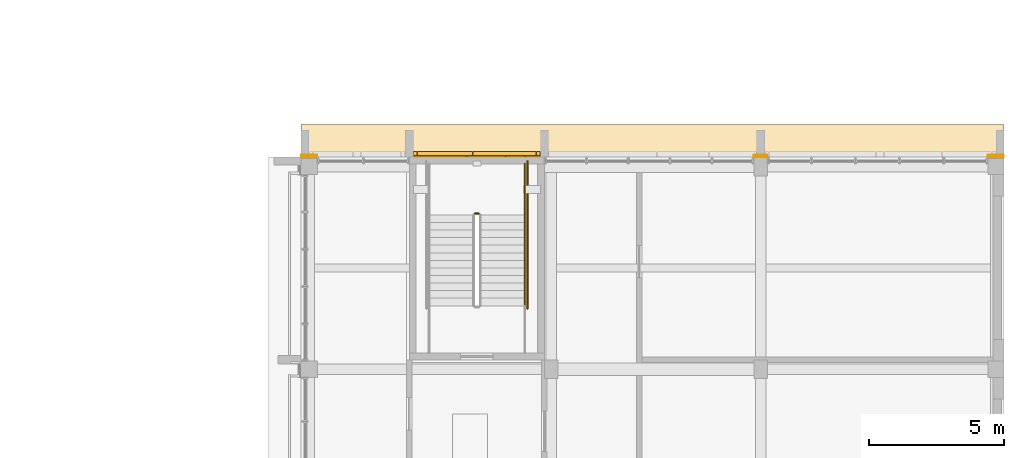
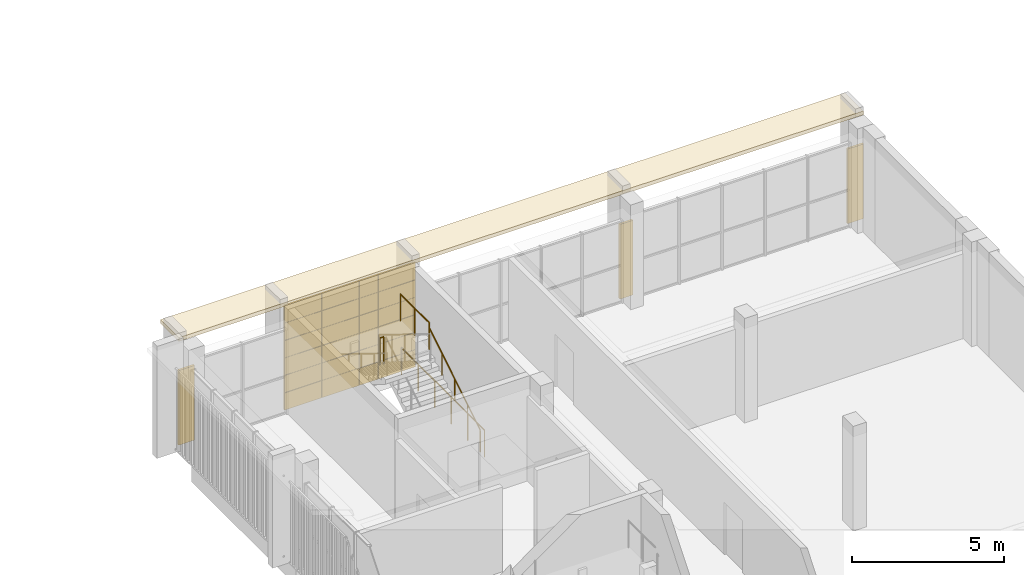
# One storey, part 96 of 98: 4 coverings, 4 railings.
"""IFC4 building model written with IfcOpenShell, lengths in metres."""

from ifc_helpers import new_model, si_unit, direction, frame, origin, origin_2d, place, context, subcontext, project, spatial, polyline, rectangle, circle, outline, extrude, material, layer, layer_set, type_object, element, save


model = new_model("IFC4")

# Units and contexts
model_context = context("Model", 3, precision=1e-05, world=origin(), true_north=direction((0.0, 1.0)))
body_context = subcontext(model_context, "Body", "Model", "MODEL_VIEW")
ifc_project = project(units=[si_unit("LENGTHUNIT", "METRE"), si_unit("AREAUNIT", "SQUARE_METRE"), si_unit("VOLUMEUNIT", "CUBIC_METRE"), si_unit("PLANEANGLEUNIT", "RADIAN"), si_unit("MASSUNIT", "GRAM", prefix="KILO")], contexts=[model_context])

# Site, building, storey
site_placement = place(None, origin())
site = spatial("IfcSite", under=ifc_project, at=site_placement, CompositionType="ELEMENT")
building_placement = place(site_placement, origin())
building = spatial("IfcBuilding", under=site, at=building_placement, Name="Sun Court Science Centre", CompositionType="ELEMENT")
storey_placement = place(building_placement, frame((0.0, 0.0, 15.75)))
storey = spatial("IfcBuildingStorey", under=building, at=storey_placement, Name="L03", CompositionType="ELEMENT", Elevation=15.75)

# Covering
ifc_material_1 = material(Name="Red sandstone", Category="masonry")
ifc_layer_1 = layer(ifc_material_1, 0.199951171875)
ifc_layer_set_1 = layer_set([ifc_layer_1], Name="Red sandstone")
covering_type_1 = type_object("IfcCoveringType", Name="Arched jali screen 200", PredefinedType="CLADDING", material=ifc_layer_set_1)
covering_1_placement = place(storey_placement, frame((0.0, 0.0, -15.75)))
element("IfcCovering", 1, at=covering_1_placement, inside=storey, type_object=covering_type_1, Name="Arched jali screen north L03 02", PredefinedType="CLADDING", context=body_context, shape_type="SweptSolid", body=[
    extrude(rectangle(XDim=0.139892578125, YDim=0.199951171875, at=origin_2d()), frame((82.22509765625, 81.10009765625, 16.05517578125), z_axis=(0.0, 0.0, 1.0), x_axis=(1.0, 0.0, 0.0)), (0.0, 0.0, 1.0), 2.665283203125),
    extrude(rectangle(XDim=0.2900390625, YDim=0.199951171875, at=origin_2d()), frame((84.5, 81.10009765625, 16.05517578125), z_axis=(0.0, 0.0, 1.0), x_axis=(1.0, 0.0, 0.0)), (0.0, 0.0, 1.0), 2.665283203125),
    extrude(rectangle(XDim=0.139892578125, YDim=0.199951171875, at=origin_2d()), frame((86.77490234375, 81.10009765625, 16.05517578125), z_axis=(0.0, 0.0, 1.0), x_axis=(1.0, 0.0, 0.0)), (0.0, 0.0, 1.0), 2.665283203125),
    extrude(rectangle(XDim=2.0400390625, YDim=0.199951171875, at=origin_2d()), frame((83.324951171875, 81.10009765625, 16.05517578125), z_axis=(0.0, 0.0, 1.0), x_axis=(1.0, 0.0, 0.0)), (0.0, 0.0, 1.0), 0.590087890625),
    extrude(rectangle(XDim=0.024658203125, YDim=0.199951171875, at=origin_2d()), frame((82.3173828125, 81.10009765625, 16.955078125), z_axis=(0.0, 0.0, 1.0), x_axis=(1.0, 0.0, 0.0)), (0.0, 0.0, 1.0), 0.139892578125),
    extrude(rectangle(XDim=0.024658203125, YDim=0.199951171875, at=origin_2d()), frame((84.332763671875, 81.10009765625, 16.955078125), z_axis=(0.0, 0.0, 1.0), x_axis=(1.0, 0.0, 0.0)), (0.0, 0.0, 1.0), 0.139892578125),
    extrude(rectangle(XDim=0.058349609375, YDim=0.199951171875, at=origin_2d()), frame((82.334228515625, 81.10009765625, 17.10498046875), z_axis=(0.0, 0.0, 1.0), x_axis=(1.0, 0.0, 0.0)), (0.0, 0.0, 1.0), 0.139892578125),
    extrude(rectangle(XDim=0.058349609375, YDim=0.199951171875, at=origin_2d()), frame((84.31591796875, 81.10009765625, 17.10498046875), z_axis=(0.0, 0.0, 1.0), x_axis=(1.0, 0.0, 0.0)), (0.0, 0.0, 1.0), 0.139892578125),
    extrude(rectangle(XDim=0.104248046875, YDim=0.199951171875, at=origin_2d()), frame((82.357177734375, 81.10009765625, 17.2548828125), z_axis=(0.0, 0.0, 1.0), x_axis=(1.0, 0.0, 0.0)), (0.0, 0.0, 1.0), 0.139892578125),
    extrude(rectangle(XDim=0.104248046875, YDim=0.199951171875, at=origin_2d()), frame((84.292724609375, 81.10009765625, 17.2548828125), z_axis=(0.0, 0.0, 1.0), x_axis=(1.0, 0.0, 0.0)), (0.0, 0.0, 1.0), 0.139892578125),
    extrude(rectangle(XDim=0.163330078125, YDim=0.199951171875, at=origin_2d()), frame((82.38671875, 81.10009765625, 17.4052734375), z_axis=(0.0, 0.0, 1.0), x_axis=(1.0, 0.0, 0.0)), (0.0, 0.0, 1.0), 0.139892578125),
    extrude(rectangle(XDim=0.163330078125, YDim=0.199951171875, at=origin_2d()), frame((84.263427734375, 81.10009765625, 17.4052734375), z_axis=(0.0, 0.0, 1.0), x_axis=(1.0, 0.0, 0.0)), (0.0, 0.0, 1.0), 0.139892578125),
    extrude(rectangle(XDim=0.23681640625, YDim=0.199951171875, at=origin_2d()), frame((82.42333984375, 81.10009765625, 17.55517578125), z_axis=(0.0, 0.0, 1.0), x_axis=(1.0, 0.0, 0.0)), (0.0, 0.0, 1.0), 0.139892578125),
    extrude(rectangle(XDim=0.23681640625, YDim=0.199951171875, at=origin_2d()), frame((84.2265625, 81.10009765625, 17.55517578125), z_axis=(0.0, 0.0, 1.0), x_axis=(1.0, 0.0, 0.0)), (0.0, 0.0, 1.0), 0.139892578125),
    extrude(rectangle(XDim=0.326171875, YDim=0.199951171875, at=origin_2d()), frame((82.468017578125, 81.10009765625, 17.705078125), z_axis=(0.0, 0.0, 1.0), x_axis=(1.0, 0.0, 0.0)), (0.0, 0.0, 1.0), 0.139892578125),
    extrude(rectangle(XDim=0.326171875, YDim=0.199951171875, at=origin_2d()), frame((84.181884765625, 81.10009765625, 17.705078125), z_axis=(0.0, 0.0, 1.0), x_axis=(1.0, 0.0, 0.0)), (0.0, 0.0, 1.0), 0.139892578125),
    extrude(rectangle(XDim=0.434814453125, YDim=0.199951171875, at=origin_2d()), frame((82.5224609375, 81.10009765625, 17.85498046875), z_axis=(0.0, 0.0, 1.0), x_axis=(1.0, 0.0, 0.0)), (0.0, 0.0, 1.0), 0.139892578125),
    extrude(rectangle(XDim=0.434814453125, YDim=0.199951171875, at=origin_2d()), frame((84.127685546875, 81.10009765625, 17.85498046875), z_axis=(0.0, 0.0, 1.0), x_axis=(1.0, 0.0, 0.0)), (0.0, 0.0, 1.0), 0.139892578125),
    extrude(rectangle(XDim=0.566162109375, YDim=0.199951171875, at=origin_2d()), frame((82.588134765625, 81.10009765625, 18.0048828125), z_axis=(0.0, 0.0, 1.0), x_axis=(1.0, 0.0, 0.0)), (0.0, 0.0, 1.0), 0.139892578125),
    extrude(rectangle(XDim=0.566162109375, YDim=0.199951171875, at=origin_2d()), frame((84.061767578125, 81.10009765625, 18.0048828125), z_axis=(0.0, 0.0, 1.0), x_axis=(1.0, 0.0, 0.0)), (0.0, 0.0, 1.0), 0.139892578125),
    extrude(rectangle(XDim=0.727783203125, YDim=0.199951171875, at=origin_2d()), frame((82.6689453125, 81.10009765625, 18.1552734375), z_axis=(0.0, 0.0, 1.0), x_axis=(1.0, 0.0, 0.0)), (0.0, 0.0, 1.0), 0.139892578125),
    extrude(rectangle(XDim=0.727783203125, YDim=0.199951171875, at=origin_2d()), frame((83.981201171875, 81.10009765625, 18.1552734375), z_axis=(0.0, 0.0, 1.0), x_axis=(1.0, 0.0, 0.0)), (0.0, 0.0, 1.0), 0.139892578125),
    extrude(rectangle(XDim=0.932373046875, YDim=0.199951171875, at=origin_2d()), frame((82.771240234375, 81.10009765625, 18.30517578125), z_axis=(0.0, 0.0, 1.0), x_axis=(1.0, 0.0, 0.0)), (0.0, 0.0, 1.0), 0.139892578125),
    extrude(rectangle(XDim=0.932373046875, YDim=0.199951171875, at=origin_2d()), frame((83.87890625, 81.10009765625, 18.30517578125), z_axis=(0.0, 0.0, 1.0), x_axis=(1.0, 0.0, 0.0)), (0.0, 0.0, 1.0), 0.139892578125),
    extrude(rectangle(XDim=2.0400390625, YDim=0.199951171875, at=origin_2d()), frame((83.324951171875, 81.10009765625, 18.455078125), z_axis=(0.0, 0.0, 1.0), x_axis=(1.0, 0.0, 0.0)), (0.0, 0.0, 1.0), 0.139892578125),
    extrude(rectangle(XDim=2.0400390625, YDim=0.199951171875, at=origin_2d()), frame((83.324951171875, 81.10009765625, 18.60498046875), z_axis=(0.0, 0.0, 1.0), x_axis=(1.0, 0.0, 0.0)), (0.0, 0.0, 1.0), 0.115234375),
    extrude(rectangle(XDim=0.0400390625, YDim=0.199951171875, at=origin_2d()), frame((82.55615234375, 81.10009765625, 16.655029296875), z_axis=(0.0, 0.0, 1.0), x_axis=(1.0, 0.0, 0.0)), (0.0, 0.0, 1.0), 0.982421875),
    extrude(rectangle(XDim=0.0400390625, YDim=0.199951171875, at=origin_2d()), frame((82.8125, 81.10009765625, 16.65478515625), z_axis=(0.0, 0.0, 1.0), x_axis=(1.0, 0.0, 0.0)), (0.0, 0.0, 1.0), 1.345947265625),
    extrude(rectangle(XDim=0.0400390625, YDim=0.199951171875, at=origin_2d()), frame((83.06884765625, 81.10009765625, 16.655029296875), z_axis=(0.0, 0.0, 1.0), x_axis=(1.0, 0.0, 0.0)), (0.0, 0.0, 1.0), 1.59033203125),
    extrude(rectangle(XDim=0.0400390625, YDim=0.199951171875, at=origin_2d()), frame((83.324951171875, 81.10009765625, 16.65478515625), z_axis=(0.0, 0.0, 1.0), x_axis=(1.0, 0.0, 0.0)), (0.0, 0.0, 1.0), 1.765380859375),
    extrude(rectangle(XDim=0.0400390625, YDim=0.199951171875, at=origin_2d()), frame((83.581298828125, 81.10009765625, 16.655029296875), z_axis=(0.0, 0.0, 1.0), x_axis=(1.0, 0.0, 0.0)), (0.0, 0.0, 1.0), 1.59033203125),
    extrude(rectangle(XDim=0.0400390625, YDim=0.199951171875, at=origin_2d()), frame((83.83740234375, 81.10009765625, 16.65478515625), z_axis=(0.0, 0.0, 1.0), x_axis=(1.0, 0.0, 0.0)), (0.0, 0.0, 1.0), 1.345947265625),
    extrude(rectangle(XDim=0.0400390625, YDim=0.199951171875, at=origin_2d()), frame((84.09375, 81.10009765625, 16.655029296875), z_axis=(0.0, 0.0, 1.0), x_axis=(1.0, 0.0, 0.0)), (0.0, 0.0, 1.0), 0.982421875),
    extrude(rectangle(XDim=2.0400390625, YDim=0.199951171875, at=origin_2d()), frame((85.675048828125, 81.10009765625, 16.05517578125), z_axis=(0.0, 0.0, 1.0), x_axis=(1.0, 0.0, 0.0)), (0.0, 0.0, 1.0), 0.590087890625),
    extrude(rectangle(XDim=0.024658203125, YDim=0.199951171875, at=origin_2d()), frame((84.667236328125, 81.10009765625, 16.955078125), z_axis=(0.0, 0.0, 1.0), x_axis=(1.0, 0.0, 0.0)), (0.0, 0.0, 1.0), 0.139892578125),
    extrude(rectangle(XDim=0.024658203125, YDim=0.199951171875, at=origin_2d()), frame((86.6826171875, 81.10009765625, 16.955078125), z_axis=(0.0, 0.0, 1.0), x_axis=(1.0, 0.0, 0.0)), (0.0, 0.0, 1.0), 0.139892578125),
    extrude(rectangle(XDim=0.058349609375, YDim=0.199951171875, at=origin_2d()), frame((84.68408203125, 81.10009765625, 17.10498046875), z_axis=(0.0, 0.0, 1.0), x_axis=(1.0, 0.0, 0.0)), (0.0, 0.0, 1.0), 0.139892578125),
    extrude(rectangle(XDim=0.058349609375, YDim=0.199951171875, at=origin_2d()), frame((86.665771484375, 81.10009765625, 17.10498046875), z_axis=(0.0, 0.0, 1.0), x_axis=(1.0, 0.0, 0.0)), (0.0, 0.0, 1.0), 0.139892578125),
    extrude(rectangle(XDim=0.104248046875, YDim=0.199951171875, at=origin_2d()), frame((84.707275390625, 81.10009765625, 17.2548828125), z_axis=(0.0, 0.0, 1.0), x_axis=(1.0, 0.0, 0.0)), (0.0, 0.0, 1.0), 0.139892578125),
    extrude(rectangle(XDim=0.104248046875, YDim=0.199951171875, at=origin_2d()), frame((86.642822265625, 81.10009765625, 17.2548828125), z_axis=(0.0, 0.0, 1.0), x_axis=(1.0, 0.0, 0.0)), (0.0, 0.0, 1.0), 0.139892578125),
    extrude(rectangle(XDim=0.163330078125, YDim=0.199951171875, at=origin_2d()), frame((84.736572265625, 81.10009765625, 17.4052734375), z_axis=(0.0, 0.0, 1.0), x_axis=(1.0, 0.0, 0.0)), (0.0, 0.0, 1.0), 0.139892578125),
    extrude(rectangle(XDim=0.163330078125, YDim=0.199951171875, at=origin_2d()), frame((86.61328125, 81.10009765625, 17.4052734375), z_axis=(0.0, 0.0, 1.0), x_axis=(1.0, 0.0, 0.0)), (0.0, 0.0, 1.0), 0.139892578125),
    extrude(rectangle(XDim=0.23681640625, YDim=0.199951171875, at=origin_2d()), frame((84.7734375, 81.10009765625, 17.55517578125), z_axis=(0.0, 0.0, 1.0), x_axis=(1.0, 0.0, 0.0)), (0.0, 0.0, 1.0), 0.139892578125),
    extrude(rectangle(XDim=0.23681640625, YDim=0.199951171875, at=origin_2d()), frame((86.57666015625, 81.10009765625, 17.55517578125), z_axis=(0.0, 0.0, 1.0), x_axis=(1.0, 0.0, 0.0)), (0.0, 0.0, 1.0), 0.139892578125),
    extrude(rectangle(XDim=0.326171875, YDim=0.199951171875, at=origin_2d()), frame((84.818115234375, 81.10009765625, 17.705078125), z_axis=(0.0, 0.0, 1.0), x_axis=(1.0, 0.0, 0.0)), (0.0, 0.0, 1.0), 0.139892578125),
    extrude(rectangle(XDim=0.326171875, YDim=0.199951171875, at=origin_2d()), frame((86.531982421875, 81.10009765625, 17.705078125), z_axis=(0.0, 0.0, 1.0), x_axis=(1.0, 0.0, 0.0)), (0.0, 0.0, 1.0), 0.139892578125),
    extrude(rectangle(XDim=0.434814453125, YDim=0.199951171875, at=origin_2d()), frame((84.872314453125, 81.10009765625, 17.85498046875), z_axis=(0.0, 0.0, 1.0), x_axis=(1.0, 0.0, 0.0)), (0.0, 0.0, 1.0), 0.139892578125),
    extrude(rectangle(XDim=0.434814453125, YDim=0.199951171875, at=origin_2d()), frame((86.4775390625, 81.10009765625, 17.85498046875), z_axis=(0.0, 0.0, 1.0), x_axis=(1.0, 0.0, 0.0)), (0.0, 0.0, 1.0), 0.139892578125),
    extrude(rectangle(XDim=0.566162109375, YDim=0.199951171875, at=origin_2d()), frame((84.938232421875, 81.10009765625, 18.0048828125), z_axis=(0.0, 0.0, 1.0), x_axis=(1.0, 0.0, 0.0)), (0.0, 0.0, 1.0), 0.139892578125),
    extrude(rectangle(XDim=0.566162109375, YDim=0.199951171875, at=origin_2d()), frame((86.411865234375, 81.10009765625, 18.0048828125), z_axis=(0.0, 0.0, 1.0), x_axis=(1.0, 0.0, 0.0)), (0.0, 0.0, 1.0), 0.139892578125),
    extrude(rectangle(XDim=0.727783203125, YDim=0.199951171875, at=origin_2d()), frame((85.018798828125, 81.10009765625, 18.1552734375), z_axis=(0.0, 0.0, 1.0), x_axis=(1.0, 0.0, 0.0)), (0.0, 0.0, 1.0), 0.139892578125),
    extrude(rectangle(XDim=0.727783203125, YDim=0.199951171875, at=origin_2d()), frame((86.3310546875, 81.10009765625, 18.1552734375), z_axis=(0.0, 0.0, 1.0), x_axis=(1.0, 0.0, 0.0)), (0.0, 0.0, 1.0), 0.139892578125),
    extrude(rectangle(XDim=0.932373046875, YDim=0.199951171875, at=origin_2d()), frame((85.12109375, 81.10009765625, 18.30517578125), z_axis=(0.0, 0.0, 1.0), x_axis=(1.0, 0.0, 0.0)), (0.0, 0.0, 1.0), 0.139892578125),
    extrude(rectangle(XDim=0.932373046875, YDim=0.199951171875, at=origin_2d()), frame((86.228759765625, 81.10009765625, 18.30517578125), z_axis=(0.0, 0.0, 1.0), x_axis=(1.0, 0.0, 0.0)), (0.0, 0.0, 1.0), 0.139892578125),
    extrude(rectangle(XDim=2.0400390625, YDim=0.199951171875, at=origin_2d()), frame((85.675048828125, 81.10009765625, 18.455078125), z_axis=(0.0, 0.0, 1.0), x_axis=(1.0, 0.0, 0.0)), (0.0, 0.0, 1.0), 0.139892578125),
    extrude(rectangle(XDim=2.0400390625, YDim=0.199951171875, at=origin_2d()), frame((85.675048828125, 81.10009765625, 18.60498046875), z_axis=(0.0, 0.0, 1.0), x_axis=(1.0, 0.0, 0.0)), (0.0, 0.0, 1.0), 0.115234375),
    extrude(rectangle(XDim=0.0400390625, YDim=0.199951171875, at=origin_2d()), frame((84.90625, 81.10009765625, 16.655029296875), z_axis=(0.0, 0.0, 1.0), x_axis=(1.0, 0.0, 0.0)), (0.0, 0.0, 1.0), 0.982421875),
    extrude(rectangle(XDim=0.0400390625, YDim=0.199951171875, at=origin_2d()), frame((85.16259765625, 81.10009765625, 16.65478515625), z_axis=(0.0, 0.0, 1.0), x_axis=(1.0, 0.0, 0.0)), (0.0, 0.0, 1.0), 1.345947265625),
    extrude(rectangle(XDim=0.0400390625, YDim=0.199951171875, at=origin_2d()), frame((85.418701171875, 81.10009765625, 16.655029296875), z_axis=(0.0, 0.0, 1.0), x_axis=(1.0, 0.0, 0.0)), (0.0, 0.0, 1.0), 1.59033203125),
    extrude(rectangle(XDim=0.0400390625, YDim=0.199951171875, at=origin_2d()), frame((85.675048828125, 81.10009765625, 16.65478515625), z_axis=(0.0, 0.0, 1.0), x_axis=(1.0, 0.0, 0.0)), (0.0, 0.0, 1.0), 1.765380859375),
    extrude(rectangle(XDim=0.0400390625, YDim=0.199951171875, at=origin_2d()), frame((85.93115234375, 81.10009765625, 16.655029296875), z_axis=(0.0, 0.0, 1.0), x_axis=(1.0, 0.0, 0.0)), (0.0, 0.0, 1.0), 1.59033203125),
    extrude(rectangle(XDim=0.0400390625, YDim=0.199951171875, at=origin_2d()), frame((86.1875, 81.10009765625, 16.65478515625), z_axis=(0.0, 0.0, 1.0), x_axis=(1.0, 0.0, 0.0)), (0.0, 0.0, 1.0), 1.345947265625),
    extrude(rectangle(XDim=0.0400390625, YDim=0.199951171875, at=origin_2d()), frame((86.44384765625, 81.10009765625, 16.655029296875), z_axis=(0.0, 0.0, 1.0), x_axis=(1.0, 0.0, 0.0)), (0.0, 0.0, 1.0), 0.982421875),
])

# Railings
ifc_material_2 = material(Name="Steel S275", Category="steel")
railing_type_1 = type_object("IfcRailingType", Name="Guard 1100 steel balustrade", PredefinedType="GUARDRAIL", material=ifc_material_2)
railing_1_placement = place(storey_placement, frame((84.574951171875, 78.907958984375, 2.25)))
element("IfcRailing", 2, at=railing_1_placement, inside=storey, type_object=railing_type_1, Name="L03 SL4 stair guard 2", PredefinedType="GUARDRAIL", context=body_context, shape_type="SweptSolid", body=[
    extrude(circle(Radius=0.02392578125, at=origin_2d()), frame((0.0, 0.0, 1.076171875), z_axis=(-1.0, 0.0, 0.0), x_axis=(0.0, -1.0, 0.0)), (0.0, 0.0, 1.0), 0.14990234375),
    extrude(circle(Radius=0.02099609375, at=origin_2d()), origin(), (0.0, 0.0, 1.0), 1.052001953125),
    extrude(circle(Radius=0.02099609375, at=origin_2d()), frame((-0.14990234375, 0.0, 0.0)), (0.0, 0.0, 1.0), 1.052001953125),
])
railing_2_placement = place(storey_placement, frame((86.27294921875, 78.85791015625, 2.25)))
element("IfcRailing", 3, at=railing_2_placement, inside=storey, type_object=railing_type_1, Name="L03 SL4 stair guard 3", PredefinedType="GUARDRAIL", context=body_context, shape_type="SweptSolid", body=[
    extrude(circle(Radius=0.02392578125, at=origin_2d()), frame((0.0, 0.0, 1.076171875), z_axis=(0.0, 1.0, 0.0), x_axis=(-1.0, 0.0, 0.0)), (0.0, 0.0, 1.0), 1.89208984375),
    extrude(circle(Radius=0.02099609375, at=origin_2d()), origin(), (0.0, 0.0, 1.0), 1.052001953125),
    extrude(circle(Radius=0.02099609375, at=origin_2d()), frame((0.0, 0.946044921875, 0.0)), (0.0, 0.0, 1.0), 1.052001953125),
    extrude(circle(Radius=0.02099609375, at=origin_2d()), frame((0.0, 1.89208984375, 0.0)), (0.0, 0.0, 1.0), 1.052001953125),
])
railing_3_placement = place(storey_placement, frame((86.373046875, 75.39794921875, 0.0)))
element("IfcRailing", 4, at=railing_3_placement, inside=storey, type_object=railing_type_1, Name="L03 SL4 stair guard 9", PredefinedType="GUARDRAIL", context=body_context, shape_type="SweptSolid", body=[
    extrude(circle(Radius=0.02392578125, at=origin_2d()), frame((0.0, 0.0, 1.076171875), z_axis=(0.0, 1.0, 0.0), x_axis=(-1.0, 0.0, 0.0)), (0.0, 0.0, 1.0), 5.4521484375),
    extrude(circle(Radius=0.02099609375, at=origin_2d()), origin(), (0.0, 0.0, 1.0), 1.052001953125),
    extrude(circle(Radius=0.02099609375, at=origin_2d()), frame((0.0, 1.09033203125, 0.0)), (0.0, 0.0, 1.0), 1.052001953125),
    extrude(circle(Radius=0.02099609375, at=origin_2d()), frame((0.0, 2.180908203125, 0.0)), (0.0, 0.0, 1.0), 1.052001953125),
    extrude(circle(Radius=0.02099609375, at=origin_2d()), frame((0.0, 3.271240234375, 0.0)), (0.0, 0.0, 1.0), 1.052001953125),
    extrude(circle(Radius=0.02099609375, at=origin_2d()), frame((0.0, 4.36181640625, 0.0)), (0.0, 0.0, 1.0), 1.052001953125),
    extrude(circle(Radius=0.02099609375, at=origin_2d()), frame((0.0, 5.4521484375, 0.0)), (0.0, 0.0, 1.0), 1.052001953125),
])
ifc_material_3 = material(Name="Stainless steel", Category="steel")
railing_type_2 = type_object("IfcRailingType", Name="Handrail 900 stainless", PredefinedType="HANDRAIL", material=ifc_material_3)
railing_4_placement = place(storey_placement, frame((86.27294921875, 75.498046875, 0.173095703125)))
element("IfcRailing", 5, at=railing_4_placement, inside=storey, type_object=railing_type_2, Name="L03 SL4 stair handrail 1", PredefinedType="HANDRAIL", context=body_context, shape_type="SweptSolid", body=[
    extrude(circle(Radius=0.02392578125, at=origin_2d()), frame((0.0, 0.0, 0.8759765625), z_axis=(0.0, 0.850606129759, 0.525803396734), x_axis=(-1.0, 0.0, 0.0)), (0.0, 0.0, 1.0), 3.949951171875),
    extrude(circle(Radius=0.02099609375, at=origin_2d()), origin(), (0.0, 0.0, 1.0), 0.851806640625),
    extrude(circle(Radius=0.02099609375, at=origin_2d()), frame((0.0, 0.83984375, 0.519287109375)), (0.0, 0.0, 1.0), 0.851806640625),
    extrude(circle(Radius=0.02099609375, at=origin_2d()), frame((0.0, 1.679931640625, 1.03857421875)), (0.0, 0.0, 1.0), 0.851806640625),
    extrude(circle(Radius=0.02099609375, at=origin_2d()), frame((0.0, 2.52001953125, 1.5576171875)), (0.0, 0.0, 1.0), 0.851806640625),
    extrude(circle(Radius=0.02099609375, at=origin_2d()), frame((0.0, 3.35986328125, 2.076904296875)), (0.0, 0.0, 1.0), 0.851806640625),
])

# Coverings
ifc_material_4 = material(Name="Red sandstone", Category="masonry")
ifc_layer_2 = layer(ifc_material_4, 0.080078125)
ifc_layer_set_2 = layer_set([ifc_layer_2], Name="Red sandstone")
covering_type_2 = type_object("IfcCoveringType", Name="Red sandstone pier cladding", PredefinedType="CLADDING", material=ifc_layer_set_2)
covering_2_placement = place(storey_placement, frame((0.0, 0.0, -15.75)))
element("IfcCovering", 6, at=covering_2_placement, inside=storey, type_object=covering_type_2, Name="Red sandstone pier cladding north face L03", PredefinedType="CLADDING", context=body_context, shape_type="SweptSolid", body=[
    extrude(rectangle(XDim=0.60009765625, YDim=0.080078125, at=origin_2d()), frame((78.300048828125, 81.0400390625, 15.75), z_axis=(0.0, 0.0, 1.0), x_axis=(1.0, 0.0, 0.0)), (0.0, 0.0, 1.0), 3.0),
    extrude(rectangle(XDim=0.5, YDim=0.080078125, at=origin_2d()), frame((95.0, 81.0400390625, 15.75), z_axis=(0.0, 0.0, 1.0), x_axis=(1.0, 0.0, 0.0)), (0.0, 0.0, 1.0), 3.0),
    extrude(rectangle(XDim=0.60009765625, YDim=0.080078125, at=origin_2d()), frame((103.699951171875, 81.0400390625, 15.75), z_axis=(0.0, 0.0, 1.0), x_axis=(1.0, 0.0, 0.0)), (0.0, 0.0, 1.0), 3.0),
])
ifc_material_5 = material(Name="Red sandstone", Category="masonry")
ifc_layer_3 = layer(ifc_material_5, 0.06005859375)
ifc_layer_set_3 = layer_set([ifc_layer_3], Name="Red sandstone")
covering_type_3 = type_object("IfcCoveringType", Name="Red sandstone wall cladding 750", PredefinedType="CLADDING", material=ifc_layer_set_3)
covering_3_placement = place(storey_placement, frame((0.0, 0.0, -15.75)))
element("IfcCovering", 7, at=covering_3_placement, inside=storey, type_object=covering_type_3, Name="Red sandstone wall cladding north face L03", PredefinedType="CLADDING", context=body_context, shape_type="SweptSolid", body=[
    extrude(rectangle(XDim=0.704345703125, YDim=0.06005859375, at=origin_2d()), frame((82.357177734375, 81.030029296875, 15.755126953125), z_axis=(0.0, 0.0, 1.0), x_axis=(1.0, 0.0, 0.0)), (0.0, 0.0, 1.0), 0.68994140625),
    extrude(rectangle(XDim=0.704345703125, YDim=0.06005859375, at=origin_2d()), frame((83.071533203125, 81.030029296875, 15.755126953125), z_axis=(0.0, 0.0, 1.0), x_axis=(1.0, 0.0, 0.0)), (0.0, 0.0, 1.0), 0.68994140625),
    extrude(rectangle(XDim=0.704345703125, YDim=0.06005859375, at=origin_2d()), frame((83.78564453125, 81.030029296875, 15.755126953125), z_axis=(0.0, 0.0, 1.0), x_axis=(1.0, 0.0, 0.0)), (0.0, 0.0, 1.0), 0.68994140625),
    extrude(rectangle(XDim=0.704345703125, YDim=0.06005859375, at=origin_2d()), frame((84.5, 81.030029296875, 15.755126953125), z_axis=(0.0, 0.0, 1.0), x_axis=(1.0, 0.0, 0.0)), (0.0, 0.0, 1.0), 0.68994140625),
    extrude(rectangle(XDim=0.704345703125, YDim=0.06005859375, at=origin_2d()), frame((85.21435546875, 81.030029296875, 15.755126953125), z_axis=(0.0, 0.0, 1.0), x_axis=(1.0, 0.0, 0.0)), (0.0, 0.0, 1.0), 0.68994140625),
    extrude(rectangle(XDim=0.704345703125, YDim=0.06005859375, at=origin_2d()), frame((85.928466796875, 81.030029296875, 15.755126953125), z_axis=(0.0, 0.0, 1.0), x_axis=(1.0, 0.0, 0.0)), (0.0, 0.0, 1.0), 0.68994140625),
    extrude(rectangle(XDim=0.704345703125, YDim=0.06005859375, at=origin_2d()), frame((86.642822265625, 81.030029296875, 15.755126953125), z_axis=(0.0, 0.0, 1.0), x_axis=(1.0, 0.0, 0.0)), (0.0, 0.0, 1.0), 0.68994140625),
    extrude(rectangle(XDim=0.704345703125, YDim=0.06005859375, at=origin_2d()), frame((82.357177734375, 81.030029296875, 16.455078125), z_axis=(0.0, 0.0, 1.0), x_axis=(1.0, 0.0, 0.0)), (0.0, 0.0, 1.0), 0.68994140625),
    extrude(rectangle(XDim=0.704345703125, YDim=0.06005859375, at=origin_2d()), frame((83.071533203125, 81.030029296875, 16.455078125), z_axis=(0.0, 0.0, 1.0), x_axis=(1.0, 0.0, 0.0)), (0.0, 0.0, 1.0), 0.68994140625),
    extrude(rectangle(XDim=0.704345703125, YDim=0.06005859375, at=origin_2d()), frame((83.78564453125, 81.030029296875, 16.455078125), z_axis=(0.0, 0.0, 1.0), x_axis=(1.0, 0.0, 0.0)), (0.0, 0.0, 1.0), 0.68994140625),
    extrude(rectangle(XDim=0.704345703125, YDim=0.06005859375, at=origin_2d()), frame((84.5, 81.030029296875, 16.455078125), z_axis=(0.0, 0.0, 1.0), x_axis=(1.0, 0.0, 0.0)), (0.0, 0.0, 1.0), 0.68994140625),
    extrude(rectangle(XDim=0.704345703125, YDim=0.06005859375, at=origin_2d()), frame((85.21435546875, 81.030029296875, 16.455078125), z_axis=(0.0, 0.0, 1.0), x_axis=(1.0, 0.0, 0.0)), (0.0, 0.0, 1.0), 0.68994140625),
    extrude(rectangle(XDim=0.704345703125, YDim=0.06005859375, at=origin_2d()), frame((85.928466796875, 81.030029296875, 16.455078125), z_axis=(0.0, 0.0, 1.0), x_axis=(1.0, 0.0, 0.0)), (0.0, 0.0, 1.0), 0.68994140625),
    extrude(rectangle(XDim=0.704345703125, YDim=0.06005859375, at=origin_2d()), frame((86.642822265625, 81.030029296875, 16.455078125), z_axis=(0.0, 0.0, 1.0), x_axis=(1.0, 0.0, 0.0)), (0.0, 0.0, 1.0), 0.68994140625),
    extrude(rectangle(XDim=0.704345703125, YDim=0.06005859375, at=origin_2d()), frame((82.357177734375, 81.030029296875, 17.155029296875), z_axis=(0.0, 0.0, 1.0), x_axis=(1.0, 0.0, 0.0)), (0.0, 0.0, 1.0), 0.68994140625),
    extrude(rectangle(XDim=0.704345703125, YDim=0.06005859375, at=origin_2d()), frame((83.071533203125, 81.030029296875, 17.155029296875), z_axis=(0.0, 0.0, 1.0), x_axis=(1.0, 0.0, 0.0)), (0.0, 0.0, 1.0), 0.68994140625),
    extrude(rectangle(XDim=0.704345703125, YDim=0.06005859375, at=origin_2d()), frame((83.78564453125, 81.030029296875, 17.155029296875), z_axis=(0.0, 0.0, 1.0), x_axis=(1.0, 0.0, 0.0)), (0.0, 0.0, 1.0), 0.68994140625),
    extrude(rectangle(XDim=0.704345703125, YDim=0.06005859375, at=origin_2d()), frame((84.5, 81.030029296875, 17.155029296875), z_axis=(0.0, 0.0, 1.0), x_axis=(1.0, 0.0, 0.0)), (0.0, 0.0, 1.0), 0.68994140625),
    extrude(rectangle(XDim=0.704345703125, YDim=0.06005859375, at=origin_2d()), frame((85.21435546875, 81.030029296875, 17.155029296875), z_axis=(0.0, 0.0, 1.0), x_axis=(1.0, 0.0, 0.0)), (0.0, 0.0, 1.0), 0.68994140625),
    extrude(rectangle(XDim=0.704345703125, YDim=0.06005859375, at=origin_2d()), frame((85.928466796875, 81.030029296875, 17.155029296875), z_axis=(0.0, 0.0, 1.0), x_axis=(1.0, 0.0, 0.0)), (0.0, 0.0, 1.0), 0.68994140625),
    extrude(rectangle(XDim=0.704345703125, YDim=0.06005859375, at=origin_2d()), frame((86.642822265625, 81.030029296875, 17.155029296875), z_axis=(0.0, 0.0, 1.0), x_axis=(1.0, 0.0, 0.0)), (0.0, 0.0, 1.0), 0.68994140625),
    extrude(rectangle(XDim=0.704345703125, YDim=0.06005859375, at=origin_2d()), frame((82.357177734375, 81.030029296875, 17.85498046875), z_axis=(0.0, 0.0, 1.0), x_axis=(1.0, 0.0, 0.0)), (0.0, 0.0, 1.0), 0.68994140625),
    extrude(rectangle(XDim=0.704345703125, YDim=0.06005859375, at=origin_2d()), frame((83.071533203125, 81.030029296875, 17.85498046875), z_axis=(0.0, 0.0, 1.0), x_axis=(1.0, 0.0, 0.0)), (0.0, 0.0, 1.0), 0.68994140625),
    extrude(rectangle(XDim=0.704345703125, YDim=0.06005859375, at=origin_2d()), frame((83.78564453125, 81.030029296875, 17.85498046875), z_axis=(0.0, 0.0, 1.0), x_axis=(1.0, 0.0, 0.0)), (0.0, 0.0, 1.0), 0.68994140625),
    extrude(rectangle(XDim=0.704345703125, YDim=0.06005859375, at=origin_2d()), frame((84.5, 81.030029296875, 17.85498046875), z_axis=(0.0, 0.0, 1.0), x_axis=(1.0, 0.0, 0.0)), (0.0, 0.0, 1.0), 0.68994140625),
    extrude(rectangle(XDim=0.704345703125, YDim=0.06005859375, at=origin_2d()), frame((85.21435546875, 81.030029296875, 17.85498046875), z_axis=(0.0, 0.0, 1.0), x_axis=(1.0, 0.0, 0.0)), (0.0, 0.0, 1.0), 0.68994140625),
    extrude(rectangle(XDim=0.704345703125, YDim=0.06005859375, at=origin_2d()), frame((85.928466796875, 81.030029296875, 17.85498046875), z_axis=(0.0, 0.0, 1.0), x_axis=(1.0, 0.0, 0.0)), (0.0, 0.0, 1.0), 0.68994140625),
    extrude(rectangle(XDim=0.704345703125, YDim=0.06005859375, at=origin_2d()), frame((86.642822265625, 81.030029296875, 17.85498046875), z_axis=(0.0, 0.0, 1.0), x_axis=(1.0, 0.0, 0.0)), (0.0, 0.0, 1.0), 0.68994140625),
    extrude(rectangle(XDim=0.704345703125, YDim=0.06005859375, at=origin_2d()), frame((82.357177734375, 81.030029296875, 18.554931640625), z_axis=(0.0, 0.0, 1.0), x_axis=(1.0, 0.0, 0.0)), (0.0, 0.0, 1.0), 0.68994140625),
    extrude(rectangle(XDim=0.704345703125, YDim=0.06005859375, at=origin_2d()), frame((83.071533203125, 81.030029296875, 18.554931640625), z_axis=(0.0, 0.0, 1.0), x_axis=(1.0, 0.0, 0.0)), (0.0, 0.0, 1.0), 0.68994140625),
    extrude(rectangle(XDim=0.704345703125, YDim=0.06005859375, at=origin_2d()), frame((83.78564453125, 81.030029296875, 18.554931640625), z_axis=(0.0, 0.0, 1.0), x_axis=(1.0, 0.0, 0.0)), (0.0, 0.0, 1.0), 0.68994140625),
    extrude(rectangle(XDim=0.704345703125, YDim=0.06005859375, at=origin_2d()), frame((84.5, 81.030029296875, 18.554931640625), z_axis=(0.0, 0.0, 1.0), x_axis=(1.0, 0.0, 0.0)), (0.0, 0.0, 1.0), 0.68994140625),
    extrude(rectangle(XDim=0.704345703125, YDim=0.06005859375, at=origin_2d()), frame((85.21435546875, 81.030029296875, 18.554931640625), z_axis=(0.0, 0.0, 1.0), x_axis=(1.0, 0.0, 0.0)), (0.0, 0.0, 1.0), 0.68994140625),
    extrude(rectangle(XDim=0.704345703125, YDim=0.06005859375, at=origin_2d()), frame((85.928466796875, 81.030029296875, 18.554931640625), z_axis=(0.0, 0.0, 1.0), x_axis=(1.0, 0.0, 0.0)), (0.0, 0.0, 1.0), 0.68994140625),
    extrude(rectangle(XDim=0.704345703125, YDim=0.06005859375, at=origin_2d()), frame((86.642822265625, 81.030029296875, 18.554931640625), z_axis=(0.0, 0.0, 1.0), x_axis=(1.0, 0.0, 0.0)), (0.0, 0.0, 1.0), 0.68994140625),
    extrude(rectangle(XDim=0.704345703125, YDim=0.06005859375, at=origin_2d()), frame((82.357177734375, 81.030029296875, 19.255126953125), z_axis=(0.0, 0.0, 1.0), x_axis=(1.0, 0.0, 0.0)), (0.0, 0.0, 1.0), 0.68994140625),
    extrude(rectangle(XDim=0.704345703125, YDim=0.06005859375, at=origin_2d()), frame((83.071533203125, 81.030029296875, 19.255126953125), z_axis=(0.0, 0.0, 1.0), x_axis=(1.0, 0.0, 0.0)), (0.0, 0.0, 1.0), 0.68994140625),
    extrude(rectangle(XDim=0.704345703125, YDim=0.06005859375, at=origin_2d()), frame((83.78564453125, 81.030029296875, 19.255126953125), z_axis=(0.0, 0.0, 1.0), x_axis=(1.0, 0.0, 0.0)), (0.0, 0.0, 1.0), 0.68994140625),
    extrude(rectangle(XDim=0.704345703125, YDim=0.06005859375, at=origin_2d()), frame((84.5, 81.030029296875, 19.255126953125), z_axis=(0.0, 0.0, 1.0), x_axis=(1.0, 0.0, 0.0)), (0.0, 0.0, 1.0), 0.68994140625),
    extrude(rectangle(XDim=0.704345703125, YDim=0.06005859375, at=origin_2d()), frame((85.21435546875, 81.030029296875, 19.255126953125), z_axis=(0.0, 0.0, 1.0), x_axis=(1.0, 0.0, 0.0)), (0.0, 0.0, 1.0), 0.68994140625),
    extrude(rectangle(XDim=0.704345703125, YDim=0.06005859375, at=origin_2d()), frame((85.928466796875, 81.030029296875, 19.255126953125), z_axis=(0.0, 0.0, 1.0), x_axis=(1.0, 0.0, 0.0)), (0.0, 0.0, 1.0), 0.68994140625),
    extrude(rectangle(XDim=0.704345703125, YDim=0.06005859375, at=origin_2d()), frame((86.642822265625, 81.030029296875, 19.255126953125), z_axis=(0.0, 0.0, 1.0), x_axis=(1.0, 0.0, 0.0)), (0.0, 0.0, 1.0), 0.68994140625),
])
ifc_material_6 = material(Name="Red sandstone", Category="masonry")
ifc_layer_4 = layer(ifc_material_6, 0.14990234375)
ifc_layer_set_4 = layer_set([ifc_layer_4], Name="Red sandstone")
covering_type_4 = type_object("IfcCoveringType", Name="Sandstone chhajja eave 1200", PredefinedType="CLADDING", material=ifc_layer_set_4)
covering_4_placement = place(storey_placement, frame((0.0, 0.0, 4.169921875)))
element("IfcCovering", 8, at=covering_4_placement, inside=storey, type_object=covering_type_4, Name="Chhajja eave north face L03", PredefinedType="CLADDING", context=body_context, shape_type="SweptSolid", body=[
    extrude(outline(polyline([(78.0, 81.0), (104.0, 81.0), (104.0, 82.199951171875), (78.0, 82.199951171875), (78.0, 81.0)])), origin(), (0.0, 0.0, 1.0), 0.150146484375),
])

save(model, "model.ifc")
